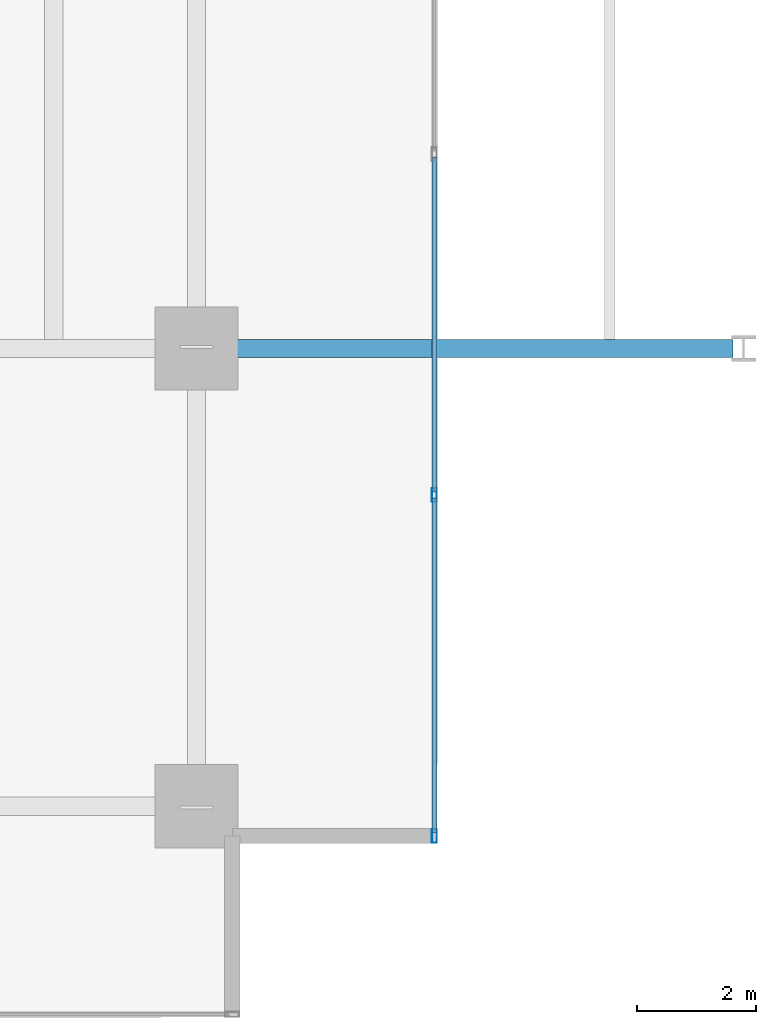
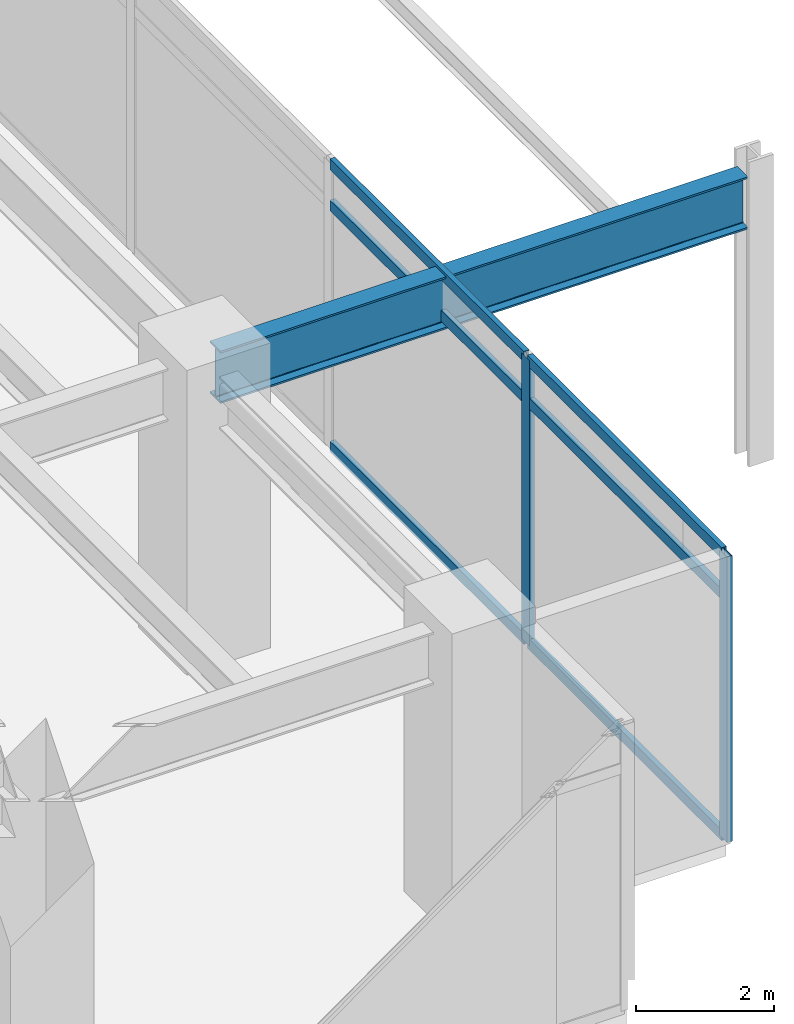
# One storey, part 10 of 24: 8 members, 1 beam, 1 element without a shape of its own.
"""IFC4 building model written with IfcOpenShell, lengths in metres."""

from ifc_helpers import new_model, si_unit, direction, frame, origin, origin_2d, place, context, subcontext, project, spatial, hollow_rectangle, i_section, extrude, material, material_profile, profile_set, type_object, element, aggregate, save


model = new_model("IFC4")

# Units and contexts
model_context = context("Model", 3, precision=1e-05, world=origin(), true_north=direction((0.0, 1.0)))
body_context = subcontext(model_context, "Body", "Model", "MODEL_VIEW")
ifc_project = project(units=[si_unit("LENGTHUNIT", "METRE"), si_unit("AREAUNIT", "SQUARE_METRE"), si_unit("VOLUMEUNIT", "CUBIC_METRE"), si_unit("PLANEANGLEUNIT", "RADIAN"), si_unit("MASSUNIT", "GRAM", prefix="KILO")], contexts=[model_context])

# Site, building, storey
site_placement = place(None, origin())
site = spatial("IfcSite", under=ifc_project, at=site_placement, CompositionType="ELEMENT")
building_placement = place(site_placement, origin())
building = spatial("IfcBuilding", under=site, at=building_placement, Name="Kovane Verandah Tower", CompositionType="ELEMENT")
storey_placement = place(building_placement, frame((0.0, 0.0, 194.800048828125)))
storey = spatial("IfcBuildingStorey", under=building, at=storey_placement, Name="L45", CompositionType="ELEMENT", Elevation=194.800048828125)

# Beam
ifc_material_1 = material(Name="Steel S460", Category="steel")
ifc_material_profile_1 = material_profile(ifc_material_1, i_section(OverallWidth=0.3076171875, OverallDepth=0.926513671875, WebThickness=0.01953125, FlangeThickness=0.031982421875, FilletRadius=0.01904296875, at=origin_2d()), Name="UB914x305x289")
ifc_profile_set_1 = profile_set([ifc_material_profile_1], Name="Steel S460")
beam_type = type_object("IfcBeamType", Name="BM-UB914x289", PredefinedType="BEAM", material=ifc_profile_set_1)
beam_placement = place(storey_placement, frame((58.580078125, 18.5, 4.63671875), z_axis=(1.0, 0.0, 0.0), x_axis=(0.0, 1.0, 0.0)))
element("IfcBeam", 1, at=beam_placement, inside=storey, type_object=beam_type, Name="L45 Primary Tower Girder G-VE1", PredefinedType="BEAM", context=body_context, shape_type="SweptSolid", body=[
    extrude(i_section(OverallWidth=0.3076171875, OverallDepth=0.926513671875, WebThickness=0.01953125, FlangeThickness=0.031982421875, FilletRadius=0.01904296875, at=origin_2d()), origin(), (0.0, 0.0, 1.0), 8.83984375),
])

# Curtain wall, members
ifc_material_2 = material(Name="Champagne Anodised Aluminium Frame with Low-E Clear Laminated Glass", Category="aluminium")
curtain_wall_type = type_object("IfcCurtainWallType", Name="CW-SYS-04-WAIST", PredefinedType="NOTDEFINED", material=ifc_material_2)
curtain_wall_placement = place(storey_placement, origin())
curtain_wall = element("IfcCurtainWall", 2, at=curtain_wall_placement, inside=storey, type_object=curtain_wall_type, Name="L45 E Unitised Curtain Wall", PredefinedType="NOTDEFINED")
ifc_material_3 = material(Name="Champagne Anodised Aluminium 6063-T6", Category="aluminium")
ifc_material_profile_2 = material_profile(ifc_material_3, hollow_rectangle(XDim=0.0849609375, YDim=0.22998046875, WallThickness=0.00390625, at=origin_2d()), Name="AL85x230x4")
ifc_profile_set_2 = profile_set([ifc_material_profile_2], Name="Champagne Anodised Aluminium 6063-T6")
member_type_1 = type_object("IfcMemberType", Name="CW-MUL-85x230", PredefinedType="MULLION", material=ifc_profile_set_2)
member_1_placement = place(storey_placement, frame((62.39990234375, 10.300048828125, 0.02001953125), z_axis=(0.0, 0.0, 1.0), x_axis=(1.0, 0.0, 0.0)))
member_1 = element("IfcMember", 3, at=member_1_placement, type_object=member_type_1, Name="L45 E Unitised Curtain Wall Mullion 1", PredefinedType="MULLION", context=body_context, shape_type="SweptSolid", body=[
    extrude(hollow_rectangle(XDim=0.0849609375, YDim=0.22998046875, WallThickness=0.00390625, at=origin_2d()), origin(), (0.0, 0.0, 1.0), 5.059814453125),
])
member_2_placement = place(storey_placement, frame((62.39990234375, 16.033203125, 0.02001953125), z_axis=(0.0, 0.0, 1.0), x_axis=(1.0, 0.0, 0.0)))
member_2 = element("IfcMember", 4, at=member_2_placement, type_object=member_type_1, Name="L45 E Unitised Curtain Wall Mullion 2", PredefinedType="MULLION", context=body_context, shape_type="SweptSolid", body=[
    extrude(hollow_rectangle(XDim=0.0849609375, YDim=0.22998046875, WallThickness=0.00390625, at=origin_2d()), origin(), (0.0, 0.0, 1.0), 5.059814453125),
])
ifc_material_profile_3 = material_profile(ifc_material_3, hollow_rectangle(XDim=0.0849609375, YDim=0.18994140625, WallThickness=0.00390625, at=origin_2d()), Name="AL85x190x4")
ifc_profile_set_3 = profile_set([ifc_material_profile_3], Name="Champagne Anodised Aluminium 6063-T6")
member_type_2 = type_object("IfcMemberType", Name="CW-TRN-85x190", PredefinedType="USERDEFINED", material=ifc_profile_set_3)
member_3_placement = place(storey_placement, frame((62.39990234375, 10.35009765625, 0.050048828125), z_axis=(0.0, 1.0, 0.0), x_axis=(-1.0, 0.0, 0.0)))
member_3 = element("IfcMember", 5, at=member_3_placement, type_object=member_type_2, Name="L45 E Unitised Curtain Wall Transom TB Bay 1", ObjectType="TRANSOM", PredefinedType="USERDEFINED", context=body_context, shape_type="SweptSolid", body=[
    extrude(hollow_rectangle(XDim=0.0849609375, YDim=0.18994140625, WallThickness=0.00390625, at=origin_2d()), origin(), (0.0, 0.0, 1.0), 5.63330078125),
])
member_4_placement = place(storey_placement, frame((62.39990234375, 10.35009765625, 4.320068359375), z_axis=(0.0, 1.0, 0.0), x_axis=(-1.0, 0.0, 0.0)))
member_4 = element("IfcMember", 6, at=member_4_placement, type_object=member_type_2, Name="L45 E Unitised Curtain Wall Transom TM Bay 1", ObjectType="TRANSOM", PredefinedType="USERDEFINED", context=body_context, shape_type="SweptSolid", body=[
    extrude(hollow_rectangle(XDim=0.0849609375, YDim=0.18994140625, WallThickness=0.00390625, at=origin_2d()), origin(), (0.0, 0.0, 1.0), 5.63330078125),
])
member_5_placement = place(storey_placement, frame((62.39990234375, 10.35009765625, 5.050048828125), z_axis=(0.0, 1.0, 0.0), x_axis=(-1.0, 0.0, 0.0)))
member_5 = element("IfcMember", 7, at=member_5_placement, type_object=member_type_2, Name="L45 E Unitised Curtain Wall Transom TT Bay 1", ObjectType="TRANSOM", PredefinedType="USERDEFINED", context=body_context, shape_type="SweptSolid", body=[
    extrude(hollow_rectangle(XDim=0.0849609375, YDim=0.18994140625, WallThickness=0.00390625, at=origin_2d()), origin(), (0.0, 0.0, 1.0), 5.63330078125),
])
member_6_placement = place(storey_placement, frame((62.39990234375, 16.083251953125, 0.050048828125), z_axis=(0.0, 1.0, 0.0), x_axis=(-1.0, 0.0, 0.0)))
member_6 = element("IfcMember", 8, at=member_6_placement, type_object=member_type_2, Name="L45 E Unitised Curtain Wall Transom TB Bay 2", ObjectType="TRANSOM", PredefinedType="USERDEFINED", context=body_context, shape_type="SweptSolid", body=[
    extrude(hollow_rectangle(XDim=0.0849609375, YDim=0.18994140625, WallThickness=0.00390625, at=origin_2d()), origin(), (0.0, 0.0, 1.0), 5.633544921875),
])
member_7_placement = place(storey_placement, frame((62.39990234375, 16.083251953125, 4.320068359375), z_axis=(0.0, 1.0, 0.0), x_axis=(-1.0, 0.0, 0.0)))
member_7 = element("IfcMember", 9, at=member_7_placement, type_object=member_type_2, Name="L45 E Unitised Curtain Wall Transom TM Bay 2", ObjectType="TRANSOM", PredefinedType="USERDEFINED", context=body_context, shape_type="SweptSolid", body=[
    extrude(hollow_rectangle(XDim=0.0849609375, YDim=0.18994140625, WallThickness=0.00390625, at=origin_2d()), origin(), (0.0, 0.0, 1.0), 5.633544921875),
])
member_8_placement = place(storey_placement, frame((62.39990234375, 16.083251953125, 5.050048828125), z_axis=(0.0, 1.0, 0.0), x_axis=(-1.0, 0.0, 0.0)))
member_8 = element("IfcMember", 10, at=member_8_placement, type_object=member_type_2, Name="L45 E Unitised Curtain Wall Transom TT Bay 2", ObjectType="TRANSOM", PredefinedType="USERDEFINED", context=body_context, shape_type="SweptSolid", body=[
    extrude(hollow_rectangle(XDim=0.0849609375, YDim=0.18994140625, WallThickness=0.00390625, at=origin_2d()), origin(), (0.0, 0.0, 1.0), 5.633544921875),
])
aggregate(curtain_wall, [member_1, member_2, member_3, member_4, member_5, member_6, member_7, member_8])

save(model, "model.ifc")
